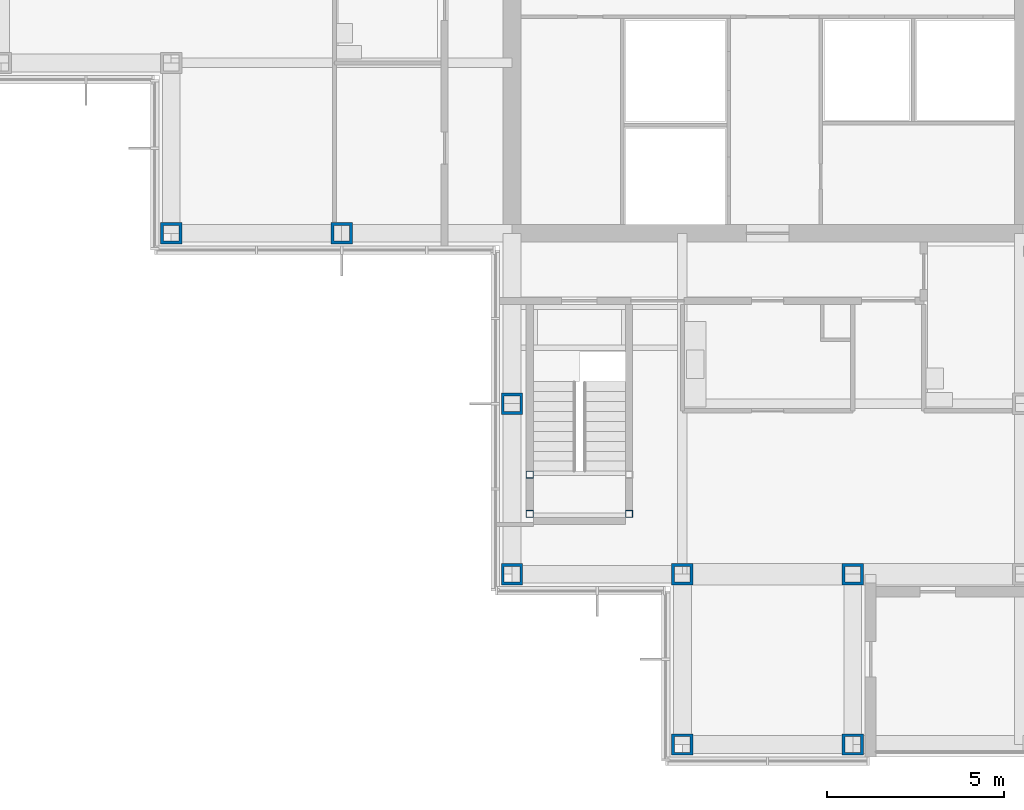
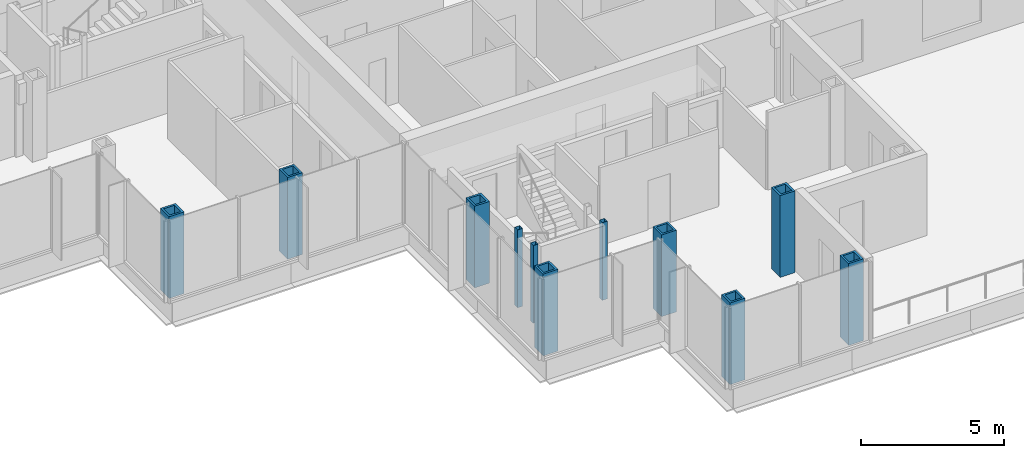
# One storey, part 1 of 17: 11 columns.
"""IFC4 building model written with IfcOpenShell, lengths in metres."""

from ifc_helpers import new_model, si_unit, direction, frame, origin, origin_2d, place, context, subcontext, project, spatial, hollow_rectangle, extrude, material, material_profile, profile_set, type_object, element, save


model = new_model("IFC4")

# Units and contexts
model_context = context("Model", 3, precision=1e-05, world=origin(), true_north=direction((0.0, 1.0)))
body_context = subcontext(model_context, "Body", "Model", "MODEL_VIEW")
ifc_project = project(units=[si_unit("LENGTHUNIT", "METRE"), si_unit("AREAUNIT", "SQUARE_METRE"), si_unit("VOLUMEUNIT", "CUBIC_METRE"), si_unit("PLANEANGLEUNIT", "RADIAN"), si_unit("MASSUNIT", "GRAM", prefix="KILO")], contexts=[model_context])

# Site, building, storey
site_placement = place(None, origin())
site = spatial("IfcSite", under=ifc_project, at=site_placement, CompositionType="ELEMENT")
building_placement = place(site_placement, origin())
building = spatial("IfcBuilding", under=site, at=building_placement, Name="Kvirike Care Tower", CompositionType="ELEMENT")
storey_placement = place(building_placement, frame((0.0, 0.0, 141.0)))
storey = spatial("IfcBuildingStorey", under=building, at=storey_placement, Name="L38", CompositionType="ELEMENT", Elevation=141.0)

# Columns
ifc_material_1 = material(Name="Steel S460", Category="steel")
ifc_material_profile_1 = material_profile(ifc_material_1, hollow_rectangle(XDim=0.60009765625, YDim=0.60009765625, WallThickness=0.080078125, at=origin_2d()), Name="BX 600x600x80")
ifc_profile_set_1 = profile_set([ifc_material_profile_1], Name="Steel S460")
column_type_1 = type_object("IfcColumnType", Name="COLUMN BX 600x600x80", PredefinedType="COLUMN", material=ifc_profile_set_1)
for number, where, z_axis, x_axis, name in (
    (1, (4.800048828125, 28.800048828125, 0.0), (0.0, 0.0, 1.0), (0.0, 1.0, 0.0), "Column G4 L38"),
    (2, (9.60009765625, 28.800048828125, 0.0), (0.0, 0.0, 1.0), (0.0, 1.0, 0.0), "Column G5 L38"),
    (3, (14.39990234375, 19.199951171875, 0.0), (0.0, 0.0, 1.0), (0.0, 1.0, 0.0), "Column E6 L38"),
    (4, (14.39990234375, 24.0, 0.0), (0.0, 0.0, 1.0), (1.0, 0.0, 0.0), "Column F6 L38"),
    (5, (19.199951171875, 14.39990234375, 0.0), (0.0, 0.0, 1.0), (0.0, 1.0, 0.0), "Column D7 L38"),
    (6, (19.199951171875, 19.199951171875, 0.0), (0.0, 0.0, 1.0), (0.0, 1.0, 0.0), "Column E7 L38"),
    (7, (24.0, 14.39990234375, 0.0), (0.0, 0.0, 1.0), (0.0, 1.0, 0.0), "Column D8 L38"),
    (8, (24.0, 19.199951171875, 0.0), (0.0, 0.0, 1.0), (0.0, 1.0, 0.0), "Column E8 L38"),
):
    element("IfcColumn", number, at=place(storey_placement, frame(where, z_axis=z_axis, x_axis=x_axis)), inside=storey, type_object=column_type_1, Name=name, PredefinedType="COLUMN", context=body_context, shape_type="SweptSolid", body=[
        extrude(hollow_rectangle(XDim=0.60009765625, YDim=0.60009765625, WallThickness=0.080078125, at=origin_2d()), origin(), (0.0, 0.0, 1.0), 3.5),
    ])
ifc_material_2 = material(Name="Steel S460", Category="steel")
ifc_material_profile_2 = material_profile(ifc_material_2, hollow_rectangle(XDim=0.199951171875, YDim=0.199951171875, WallThickness=0.008056640625, at=origin_2d()), Name="SHS 200x200x8")
ifc_profile_set_2 = profile_set([ifc_material_profile_2], Name="Steel S460")
column_type_2 = type_object("IfcColumnType", Name="STAIR POST SHS 200x200x8", PredefinedType="COLUMN", material=ifc_profile_set_2)
for number, where, z_axis, x_axis, name in (
    (9, (14.89990234375, 20.89990234375, 0.0), (0.0, 0.0, 1.0), (1.0, 0.0, 0.0), "Stair 5 post 1 L38"),
    (10, (17.699951171875, 20.89990234375, 0.0), (0.0, 0.0, 1.0), (1.0, 0.0, 0.0), "Stair 5 post 2 L38"),
    (11, (14.89990234375, 22.0, 0.0), (0.0, 0.0, 1.0), (1.0, 0.0, 0.0), "Stair 5 post 3 L38"),
):
    element("IfcColumn", number, at=place(storey_placement, frame(where, z_axis=z_axis, x_axis=x_axis)), inside=storey, type_object=column_type_2, Name=name, PredefinedType="COLUMN", context=body_context, shape_type="SweptSolid", body=[
        extrude(hollow_rectangle(XDim=0.199951171875, YDim=0.199951171875, WallThickness=0.008056640625, at=origin_2d()), origin(), (0.0, 0.0, 1.0), 3.330078125),
    ])

save(model, "model.ifc")
